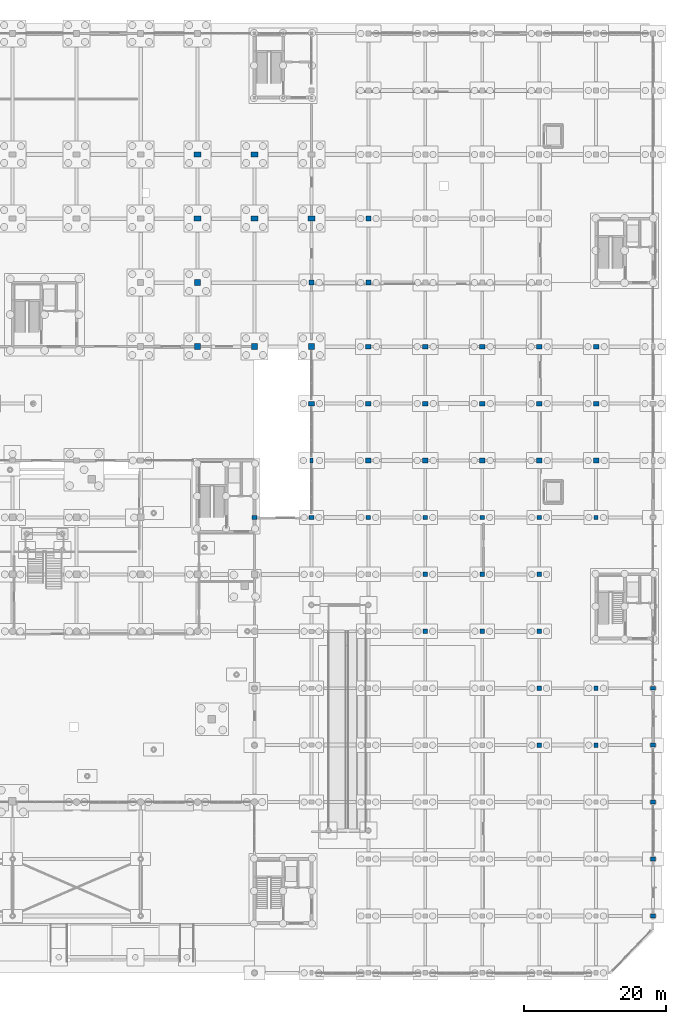
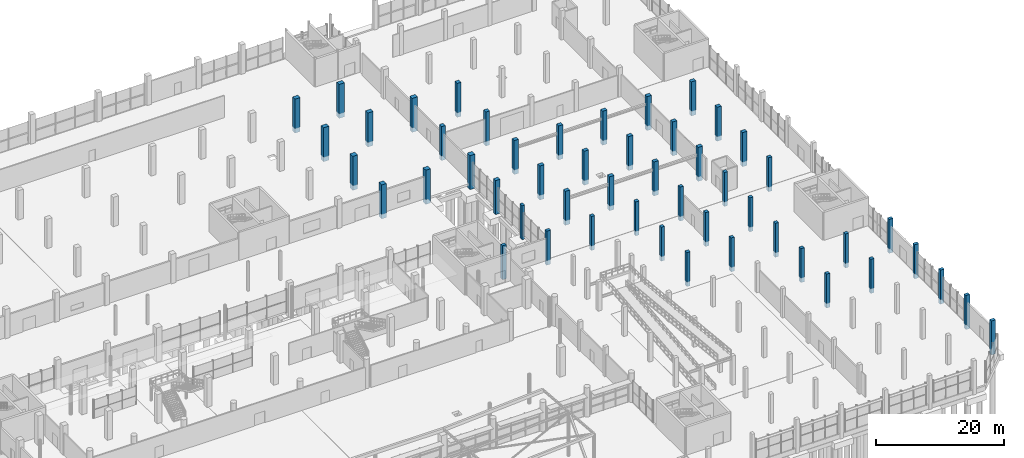
# One storey, part 28 of 98: 51 columns.
"""IFC4 building model written with IfcOpenShell, lengths in metres."""

from ifc_helpers import new_model, si_unit, derived_unit, direction, frame, origin, origin_2d, place, context, subcontext, project, spatial, rectangle, extrude, material, material_profile, profile_set, type_object, element, save


model = new_model("IFC4")

# Units and contexts
model_context = context("Model", 3, precision=1e-05, world=origin(), true_north=direction((0.0, 1.0)))
body_context = subcontext(model_context, "Body", "Model", "MODEL_VIEW")
ifc_project = project(units=[si_unit("LENGTHUNIT", "METRE"), si_unit("AREAUNIT", "SQUARE_METRE"), si_unit("VOLUMEUNIT", "CUBIC_METRE"), si_unit("PLANEANGLEUNIT", "RADIAN"), si_unit("MASSUNIT", "GRAM", prefix="KILO"), si_unit("THERMODYNAMICTEMPERATUREUNIT", "KELVIN"), derived_unit("THERMALTRANSMITTANCEUNIT", [(si_unit("POWERUNIT", "WATT"), 1), (si_unit("AREAUNIT", "SQUARE_METRE"), -1), (si_unit("THERMODYNAMICTEMPERATUREUNIT", "KELVIN"), -1)])], contexts=[model_context])

# Site, building, storey
site_placement = place(None, origin())
site = spatial("IfcSite", under=ifc_project, at=site_placement, CompositionType="ELEMENT")
building_placement = place(site_placement, origin())
building = spatial("IfcBuilding", under=site, at=building_placement, Name="Haiyu Intermodal Mobility Hub", CompositionType="ELEMENT")
storey_placement = place(building_placement, origin())
storey = spatial("IfcBuildingStorey", under=building, at=storey_placement, Name="L00", CompositionType="ELEMENT", Elevation=0.0)

# Columns
ifc_material_1 = material(Name="Precast concrete C40", Category="concrete")
ifc_material_profile_1 = material_profile(ifc_material_1, rectangle(XDim=0.85009765625, YDim=0.85009765625, at=origin_2d()), Name="RC850x850")
ifc_profile_set_1 = profile_set([ifc_material_profile_1], Name="Precast concrete C40")
column_type_1 = type_object("IfcColumnType", Name="COL-CC01", PredefinedType="COLUMN", material=ifc_profile_set_1)
column_1_placement = place(storey_placement, frame((146.0, 113.0, -0.89990234375), z_axis=(0.0, 0.0, 1.0), x_axis=(1.0, 0.0, 0.0)))
element("IfcColumn", 1, at=column_1_placement, inside=storey, type_object=column_type_1, Name="Column V3S-16N L00", PredefinedType="COLUMN", context=body_context, shape_type="SweptSolid", body=[
    extrude(rectangle(XDim=0.85009765625, YDim=0.85009765625, at=origin_2d()), origin(), (0.0, 0.0, 1.0), 6.5),
])
ifc_material_profile_2 = material_profile(ifc_material_1, rectangle(XDim=0.85009765625, YDim=0.85009765625, at=origin_2d()), Name="RC850x850")
ifc_profile_set_2 = profile_set([ifc_material_profile_2], Name="Precast concrete C40")
column_type_2 = type_object("IfcColumnType", Name="COL-CC01-EXT", PredefinedType="COLUMN", material=ifc_profile_set_2)
for number, where, z_axis, x_axis, name in (
    (2, (146.0, 104.0, -0.89990234375), (0.0, 0.0, 1.0), (1.0, 0.0, 0.0), "Column V4-16M L00"),
    (3, (154.0, 104.0, -0.89990234375), (0.0, 0.0, 1.0), (1.0, 0.0, 0.0), "Column V4-17M L00"),
    (4, (162.0, 104.0, -0.89990234375), (0.0, 0.0, 1.0), (1.0, 0.0, 0.0), "Column V4-18M L00"),
):
    element("IfcColumn", number, at=place(storey_placement, frame(where, z_axis=z_axis, x_axis=x_axis)), inside=storey, type_object=column_type_2, Name=name, PredefinedType="COLUMN", context=body_context, shape_type="SweptSolid", body=[
        extrude(rectangle(XDim=0.85009765625, YDim=0.85009765625, at=origin_2d()), origin(), (0.0, 0.0, 1.0), 6.5),
    ])
ifc_material_2 = material(Name="Concrete C40", Category="concrete")
ifc_material_profile_3 = material_profile(ifc_material_2, rectangle(XDim=0.699951171875, YDim=0.699951171875, at=origin_2d()), Name="RC700x700")
ifc_profile_set_3 = profile_set([ifc_material_profile_3], Name="Concrete C40")
column_type_3 = type_object("IfcColumnType", Name="COL-CC08", PredefinedType="COLUMN", material=ifc_profile_set_3)
for number, where, z_axis, x_axis, name in (
    (5, (170.0, 113.0, -0.89990234375), (0.0, 0.0, 1.0), (1.0, 0.0, 0.0), "Column V6-19N L00"),
    (6, (170.0, 122.0, -0.89990234375), (0.0, 0.0, 1.0), (1.0, 0.0, 0.0), "Column V6-19P L00"),
):
    element("IfcColumn", number, at=place(storey_placement, frame(where, z_axis=z_axis, x_axis=x_axis)), inside=storey, type_object=column_type_3, Name=name, PredefinedType="COLUMN", context=body_context, shape_type="SweptSolid", body=[
        extrude(rectangle(XDim=0.699951171875, YDim=0.699951171875, at=origin_2d()), origin(), (0.0, 0.0, 1.0), 6.5),
    ])
ifc_material_profile_4 = material_profile(ifc_material_2, rectangle(XDim=0.699951171875, YDim=0.699951171875, at=origin_2d()), Name="RC700x700")
ifc_profile_set_4 = profile_set([ifc_material_profile_4], Name="Concrete C40")
column_type_4 = type_object("IfcColumnType", Name="COL-CC08-EXT", PredefinedType="COLUMN", material=ifc_profile_set_4)
column_2_placement = place(storey_placement, frame((162.0, 113.0, -0.89990234375), z_axis=(0.0, 0.0, 1.0), x_axis=(1.0, 0.0, 0.0)))
element("IfcColumn", 7, at=column_2_placement, inside=storey, type_object=column_type_4, Name="Column V6-18N L00", PredefinedType="COLUMN", context=body_context, shape_type="SweptSolid", body=[
    extrude(rectangle(XDim=0.699951171875, YDim=0.699951171875, at=origin_2d()), origin(), (0.0, 0.0, 1.0), 6.5),
])
ifc_material_profile_5 = material_profile(ifc_material_2, rectangle(XDim=0.60009765625, YDim=0.60009765625, at=origin_2d()), Name="RC600x600")
ifc_profile_set_5 = profile_set([ifc_material_profile_5], Name="Concrete C40")
column_type_5 = type_object("IfcColumnType", Name="COL-CC10", PredefinedType="COLUMN", material=ifc_profile_set_5)
for number, where, z_axis, x_axis, name in (
    (8, (178.0, 64.0, -0.89990234375), (0.0, 0.0, 1.0), (1.0, 0.0, 0.0), "Column V5-20G L00"),
    (9, (186.0, 64.0, -0.89990234375), (0.0, 0.0, 1.0), (1.0, 0.0, 0.0), "Column V5-21G L00"),
    (10, (194.0, 48.0, -0.89990234375), (0.0, 0.0, 1.0), (1.0, 0.0, 0.0), "Column V5-22E L00"),
    (11, (194.0, 56.0, -0.89990234375), (0.0, 0.0, 1.0), (1.0, 0.0, 0.0), "Column V5-22F L00"),
    (12, (194.0, 64.0, -0.89990234375), (0.0, 0.0, 1.0), (1.0, 0.0, 0.0), "Column V5-22G L00"),
    (13, (202.0, 48.0, -0.89990234375), (0.0, 0.0, 1.0), (1.0, 0.0, 0.0), "Column V5-23E L00"),
    (14, (202.0, 56.0, -0.89990234375), (0.0, 0.0, 1.0), (1.0, 0.0, 0.0), "Column V5-23F L00"),
):
    element("IfcColumn", number, at=place(storey_placement, frame(where, z_axis=z_axis, x_axis=x_axis)), inside=storey, type_object=column_type_5, Name=name, PredefinedType="COLUMN", context=body_context, shape_type="SweptSolid", body=[
        extrude(rectangle(XDim=0.60009765625, YDim=0.60009765625, at=origin_2d()), origin(), (0.0, 0.0, 1.0), 6.5),
    ])
ifc_material_profile_6 = material_profile(ifc_material_2, rectangle(XDim=0.60009765625, YDim=0.60009765625, at=origin_2d()), Name="RC600x600")
ifc_profile_set_6 = profile_set([ifc_material_profile_6], Name="Concrete C40")
column_type_6 = type_object("IfcColumnType", Name="COL-CC10-EXT", PredefinedType="COLUMN", material=ifc_profile_set_6)
for number, where, z_axis, x_axis, name in (
    (15, (170.0, 80.0, -0.89990234375), (0.0, 0.0, 1.0), (1.0, 0.0, 0.0), "Column V5-19J L00"),
    (16, (178.0, 72.0, -0.89990234375), (0.0, 0.0, 1.0), (1.0, 0.0, 0.0), "Column V5-20H L00"),
    (17, (178.0, 80.0, -0.89990234375), (0.0, 0.0, 1.0), (1.0, 0.0, 0.0), "Column V5-20J L00"),
    (18, (186.0, 72.0, -0.89990234375), (0.0, 0.0, 1.0), (1.0, 0.0, 0.0), "Column V5-21H L00"),
    (19, (186.0, 80.0, -0.89990234375), (0.0, 0.0, 1.0), (1.0, 0.0, 0.0), "Column V5-21J L00"),
    (20, (194.0, 72.0, -0.89990234375), (0.0, 0.0, 1.0), (1.0, 0.0, 0.0), "Column V5-22H L00"),
    (21, (194.0, 80.0, -0.89990234375), (0.0, 0.0, 1.0), (1.0, 0.0, 0.0), "Column V5-22J L00"),
    (22, (202.0, 80.0, -0.89990234375), (0.0, 0.0, 1.0), (1.0, 0.0, 0.0), "Column V5-23J L00"),
):
    element("IfcColumn", number, at=place(storey_placement, frame(where, z_axis=z_axis, x_axis=x_axis)), inside=storey, type_object=column_type_6, Name=name, PredefinedType="COLUMN", context=body_context, shape_type="SweptSolid", body=[
        extrude(rectangle(XDim=0.60009765625, YDim=0.60009765625, at=origin_2d()), origin(), (0.0, 0.0, 1.0), 6.5),
    ])
ifc_material_profile_7 = material_profile(ifc_material_2, rectangle(XDim=0.800048828125, YDim=0.64990234375, at=origin_2d()), Name="C800x650")
ifc_profile_set_7 = profile_set([ifc_material_profile_7], Name="Concrete C40")
column_type_7 = type_object("IfcColumnType", Name="COL-CC14", PredefinedType="COLUMN", material=ifc_profile_set_7)
for number, where, z_axis, x_axis, name in (
    (23, (170.0, 88.0, -0.89990234375), (0.0, 0.0, 1.0), (1.0, 0.0, 0.0), "Column V6-19K L00"),
    (24, (170.0, 96.0, -0.89990234375), (0.0, 0.0, 1.0), (1.0, 0.0, 0.0), "Column V6-19L L00"),
    (25, (170.0, 104.0, -0.89990234375), (0.0, 0.0, 1.0), (1.0, 0.0, 0.0), "Column V6-19M L00"),
    (26, (178.0, 88.0, -0.89990234375), (0.0, 0.0, 1.0), (1.0, 0.0, 0.0), "Column V6-20K L00"),
    (27, (178.0, 96.0, -0.89990234375), (0.0, 0.0, 1.0), (1.0, 0.0, 0.0), "Column V6-20L L00"),
    (28, (178.0, 104.0, -0.89990234375), (0.0, 0.0, 1.0), (1.0, 0.0, 0.0), "Column V6-20M L00"),
    (29, (186.0, 88.0, -0.89990234375), (0.0, 0.0, 1.0), (1.0, 0.0, 0.0), "Column V6-21K L00"),
    (30, (186.0, 96.0, -0.89990234375), (0.0, 0.0, 1.0), (1.0, 0.0, 0.0), "Column V6-21L L00"),
    (31, (186.0, 104.0, -0.89990234375), (0.0, 0.0, 1.0), (1.0, 0.0, 0.0), "Column V6-21M L00"),
    (32, (194.0, 88.0, -0.89990234375), (0.0, 0.0, 1.0), (1.0, 0.0, 0.0), "Column V6-22K L00"),
    (33, (194.0, 96.0, -0.89990234375), (0.0, 0.0, 1.0), (1.0, 0.0, 0.0), "Column V6-22L L00"),
    (34, (194.0, 104.0, -0.89990234375), (0.0, 0.0, 1.0), (1.0, 0.0, 0.0), "Column V6-22M L00"),
    (35, (202.0, 88.0, -0.89990234375), (0.0, 0.0, 1.0), (1.0, 0.0, 0.0), "Column V6-23K L00"),
    (36, (202.0, 96.0, -0.89990234375), (0.0, 0.0, 1.0), (1.0, 0.0, 0.0), "Column V6-23L L00"),
    (37, (202.0, 104.0, -0.89990234375), (0.0, 0.0, 1.0), (1.0, 0.0, 0.0), "Column V6-23M L00"),
):
    element("IfcColumn", number, at=place(storey_placement, frame(where, z_axis=z_axis, x_axis=x_axis)), inside=storey, type_object=column_type_7, Name=name, PredefinedType="COLUMN", context=body_context, shape_type="SweptSolid", body=[
        extrude(rectangle(XDim=0.800048828125, YDim=0.64990234375, at=origin_2d()), origin(), (0.0, 0.0, 1.0), 6.5),
    ])
ifc_material_profile_8 = material_profile(ifc_material_2, rectangle(XDim=0.800048828125, YDim=0.64990234375, at=origin_2d()), Name="C800x650")
ifc_profile_set_8 = profile_set([ifc_material_profile_8], Name="Concrete C40")
column_type_8 = type_object("IfcColumnType", Name="COL-CC14-EXT", PredefinedType="COLUMN", material=ifc_profile_set_8)
column_3_placement = place(storey_placement, frame((162.0, 96.0, -0.89990234375), z_axis=(0.0, 0.0, 1.0), x_axis=(1.0, 0.0, 0.0)))
element("IfcColumn", 38, at=column_3_placement, inside=storey, type_object=column_type_8, Name="Column V6-18L L00", PredefinedType="COLUMN", context=body_context, shape_type="SweptSolid", body=[
    extrude(rectangle(XDim=0.800048828125, YDim=0.64990234375, at=origin_2d()), origin(), (0.0, 0.0, 1.0), 6.5),
])
ifc_material_profile_9 = material_profile(ifc_material_2, rectangle(XDim=0.699951171875, YDim=0.550048828125, at=origin_2d()), Name="C700x550")
ifc_profile_set_9 = profile_set([ifc_material_profile_9], Name="Concrete C40")
column_type_9 = type_object("IfcColumnType", Name="COL-CC16-EXT", PredefinedType="COLUMN", material=ifc_profile_set_9)
for number, where, z_axis, x_axis, name in (
    (39, (154.0, 80.0, -0.89990234375), (0.0, 0.0, 1.0), (1.0, 0.0, 0.0), "Column V5-17J L00"),
    (40, (162.0, 80.0, -0.89990234375), (0.0, 0.0, 1.0), (1.0, 0.0, 0.0), "Column V5-18J L00"),
    (41, (210.0, 24.0, -0.89990234375), (0.0, 0.0, 1.0), (1.0, 0.0, 0.0), "Column V5-24B L00"),
    (42, (210.0, 32.0, -0.89990234375), (0.0, 0.0, 1.0), (1.0, 0.0, 0.0), "Column V5-24C L00"),
    (43, (210.0, 40.0, -0.89990234375), (0.0, 0.0, 1.0), (1.0, 0.0, 0.0), "Column V5-24D L00"),
    (44, (210.0, 48.0, -0.89990234375), (0.0, 0.0, 1.0), (1.0, 0.0, 0.0), "Column V5-24E L00"),
    (45, (210.0, 56.0, -0.89990234375), (0.0, 0.0, 1.0), (1.0, 0.0, 0.0), "Column V5-24F L00"),
):
    element("IfcColumn", number, at=place(storey_placement, frame(where, z_axis=z_axis, x_axis=x_axis)), inside=storey, type_object=column_type_9, Name=name, PredefinedType="COLUMN", context=body_context, shape_type="SweptSolid", body=[
        extrude(rectangle(XDim=0.699951171875, YDim=0.550048828125, at=origin_2d()), origin(), (0.0, 0.0, 1.0), 6.5),
    ])
ifc_material_profile_10 = material_profile(ifc_material_1, rectangle(XDim=0.949951171875, YDim=0.75, at=origin_2d()), Name="C950x750")
ifc_profile_set_10 = profile_set([ifc_material_profile_10], Name="Precast concrete C40")
column_type_10 = type_object("IfcColumnType", Name="COL-CC19", PredefinedType="COLUMN", material=ifc_profile_set_10)
for number, where, z_axis, x_axis, name in (
    (46, (146.0, 122.0, -0.89990234375), (0.0, 0.0, 1.0), (1.0, 0.0, 0.0), "Column V4-16P L00"),
    (47, (146.0, 131.0, -0.89990234375), (0.0, 0.0, 1.0), (1.0, 0.0, 0.0), "Column V4-16Q L00"),
    (48, (154.0, 122.0, -0.89990234375), (0.0, 0.0, 1.0), (1.0, 0.0, 0.0), "Column V4-17P L00"),
    (49, (154.0, 131.0, -0.89990234375), (0.0, 0.0, 1.0), (1.0, 0.0, 0.0), "Column V4-17Q L00"),
):
    element("IfcColumn", number, at=place(storey_placement, frame(where, z_axis=z_axis, x_axis=x_axis)), inside=storey, type_object=column_type_10, Name=name, PredefinedType="COLUMN", context=body_context, shape_type="SweptSolid", body=[
        extrude(rectangle(XDim=0.949951171875, YDim=0.75, at=origin_2d()), origin(), (0.0, 0.0, 1.0), 6.5),
    ])
ifc_material_profile_11 = material_profile(ifc_material_1, rectangle(XDim=0.949951171875, YDim=0.75, at=origin_2d()), Name="C950x750")
ifc_profile_set_11 = profile_set([ifc_material_profile_11], Name="Precast concrete C40")
column_type_11 = type_object("IfcColumnType", Name="COL-CC19-EXT", PredefinedType="COLUMN", material=ifc_profile_set_11)
column_4_placement = place(storey_placement, frame((162.0, 122.0, -0.89990234375), z_axis=(0.0, 0.0, 1.0), x_axis=(1.0, 0.0, 0.0)))
element("IfcColumn", 50, at=column_4_placement, inside=storey, type_object=column_type_11, Name="Column V4-18P L00", PredefinedType="COLUMN", context=body_context, shape_type="SweptSolid", body=[
    extrude(rectangle(XDim=0.949951171875, YDim=0.75, at=origin_2d()), origin(), (0.0, 0.0, 1.0), 6.5),
])
ifc_material_profile_12 = material_profile(ifc_material_1, rectangle(XDim=0.449951171875, YDim=0.699951171875, at=origin_2d()), Name="RC450x700")
ifc_profile_set_12 = profile_set([ifc_material_profile_12], Name="Precast concrete C40")
column_type_12 = type_object("IfcColumnType", Name="COL-PL12-EXT", PredefinedType="PILASTER", material=ifc_profile_set_12)
column_5_placement = place(storey_placement, frame((162.0, 88.0, -0.89990234375), z_axis=(0.0, 0.0, 1.0), x_axis=(1.0, 0.0, 0.0)))
element("IfcColumn", 51, at=column_5_placement, inside=storey, type_object=column_type_12, Name="Column V6-18K L00", PredefinedType="PILASTER", context=body_context, shape_type="SweptSolid", body=[
    extrude(rectangle(XDim=0.449951171875, YDim=0.699951171875, at=origin_2d()), origin(), (0.0, 0.0, 1.0), 6.5),
])

save(model, "model.ifc")
